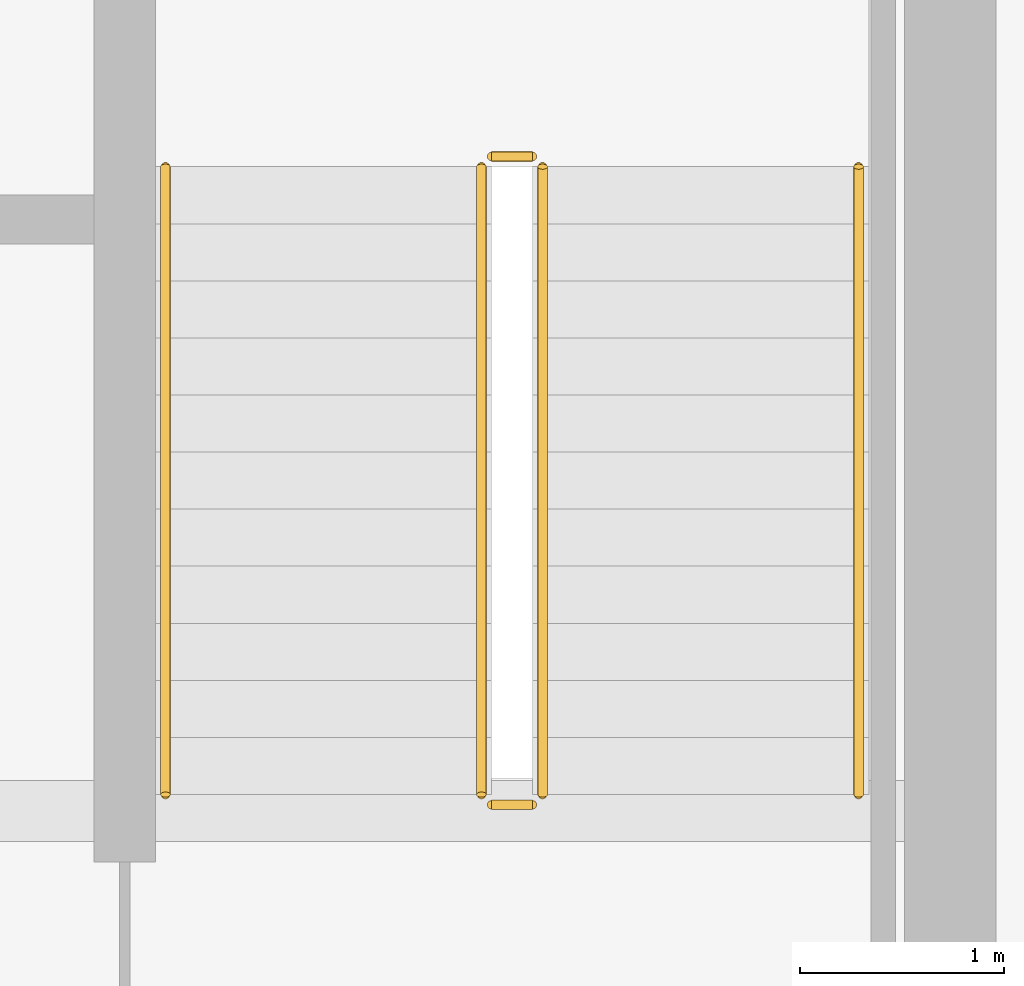
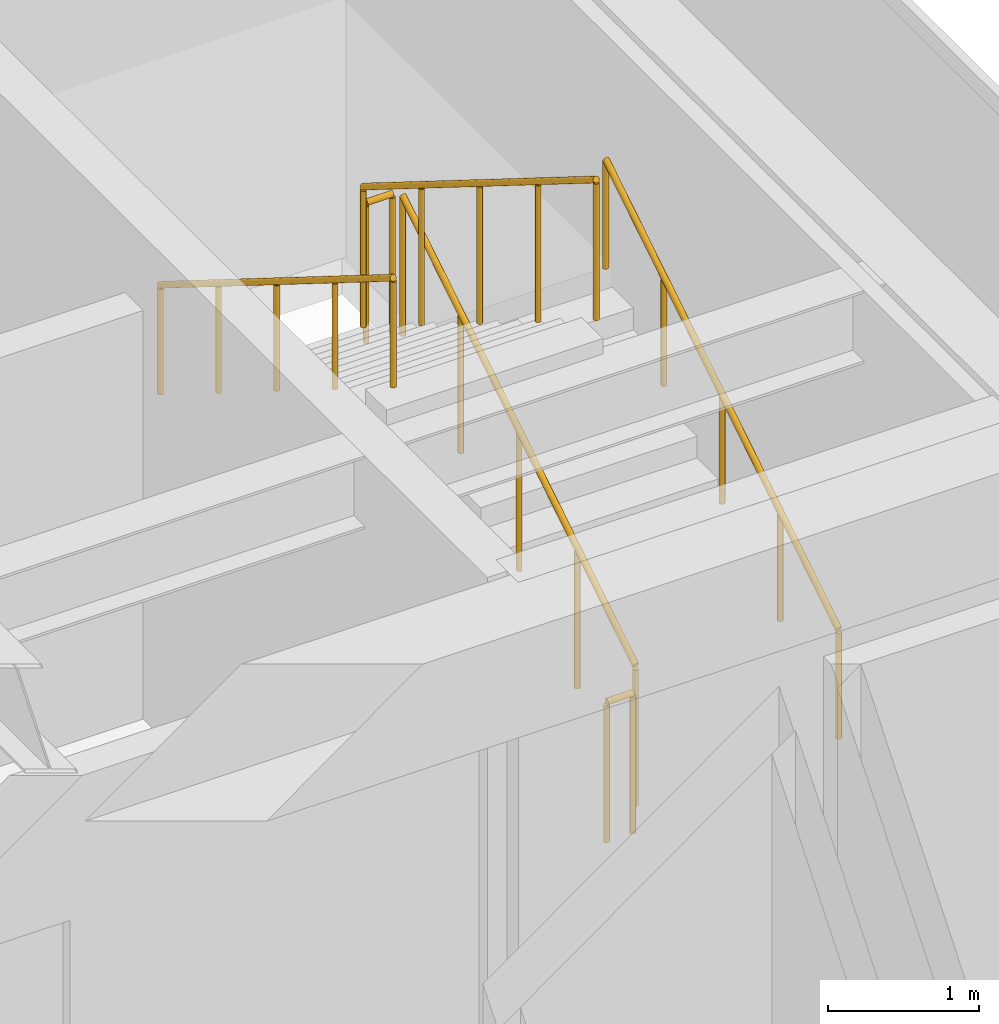
# One storey, part 31 of 31: 6 railings.
"""IFC4 building model written with IfcOpenShell, lengths in metres."""

from ifc_helpers import new_model, si_unit, direction, frame, origin, origin_2d, place, context, subcontext, project, spatial, circle, extrude, source, transform, mapped, material, type_object, type_shapes, element, save


model = new_model("IFC4")

# Units and contexts
model_context = context("Model", 3, precision=1e-05, world=origin(), true_north=direction((0.0, 1.0)))
body_context = subcontext(model_context, "Body", "Model", "MODEL_VIEW")
ifc_project = project(units=[si_unit("LENGTHUNIT", "METRE"), si_unit("AREAUNIT", "SQUARE_METRE"), si_unit("VOLUMEUNIT", "CUBIC_METRE"), si_unit("PLANEANGLEUNIT", "RADIAN"), si_unit("MASSUNIT", "GRAM", prefix="KILO")], contexts=[model_context])

# Site, building, storey
site_placement = place(None, origin())
site = spatial("IfcSite", under=ifc_project, at=site_placement, CompositionType="ELEMENT")
building_placement = place(site_placement, origin())
building = spatial("IfcBuilding", under=site, at=building_placement, Name="Haelvirn Gate Laboratories", CompositionType="ELEMENT")
storey_placement = place(building_placement, frame((0.0, 0.0, 318.60009765625)))
storey = spatial("IfcBuildingStorey", under=building, at=storey_placement, Name="L76", CompositionType="ELEMENT", Elevation=318.60009765625)

# Railings
ifc_material_1 = material(Name="Galvanised steel SM355 & stainless top rail", Category="steel")
railing_type_1 = type_object("IfcRailingType", Name="RL-GUARD-1150", PredefinedType="GUARDRAIL", material=ifc_material_1)
shared_shape_1 = source(origin(), body_context, "Body", "SweptSolid", [
    extrude(circle(Radius=0.02392578125, at=origin_2d()), frame((0.0, 0.0, 1.1259765625), z_axis=(0.0, 0.847998304005, 0.529998940003), x_axis=(-1.0, 0.0, 0.0)), (0.0, 0.0, 1.0), 3.632080078125),
    extrude(circle(Radius=0.02099609375, at=origin_2d()), origin(), (0.0, 0.0, 1.0), 1.101806640625),
    extrude(circle(Radius=0.02099609375, at=origin_2d()), frame((0.0, 0.77001953125, 0.481201171875)), (0.0, 0.0, 1.0), 1.101806640625),
    extrude(circle(Radius=0.02099609375, at=origin_2d()), frame((0.0, 1.5400390625, 0.96240234375)), (0.0, 0.0, 1.0), 1.101806640625),
    extrude(circle(Radius=0.02099609375, at=origin_2d()), frame((0.0, 2.31005859375, 1.44384765625)), (0.0, 0.0, 1.0), 1.101806640625),
    extrude(circle(Radius=0.02099609375, at=origin_2d()), frame((0.0, 3.080078125, 1.925048828125)), (0.0, 0.0, 1.0), 1.101806640625),
])
railing_1_placement = place(storey_placement, frame((65.39990234375, 26.699951171875, 0.1748046875)))
element("IfcRailing", 1, at=railing_1_placement, inside=storey, type_object=railing_type_1, Name="L76 ST2 stair guard 1", PredefinedType="GUARDRAIL", context=body_context, shape_type="MappedRepresentation", body=[
    mapped(shared_shape_1, transform((0.0, 0.0, 0.0), scale=1.0)),
])
shared_shape_2 = source(origin(), body_context, "Body", "SweptSolid", [
    extrude(circle(Radius=0.02392578125, at=origin_2d()), frame((0.0, 0.0, 1.1259765625), z_axis=(0.0, -0.847998304005, 0.529998940003), x_axis=(1.0, 0.0, 0.0)), (0.0, 0.0, 1.0), 3.632080078125),
    extrude(circle(Radius=0.02099609375, at=origin_2d()), origin(), (0.0, 0.0, 1.0), 1.101806640625),
    extrude(circle(Radius=0.02099609375, at=origin_2d()), frame((0.0, -0.77001953125, 0.481201171875)), (0.0, 0.0, 1.0), 1.101806640625),
    extrude(circle(Radius=0.02099609375, at=origin_2d()), frame((0.0, -1.5400390625, 0.96240234375)), (0.0, 0.0, 1.0), 1.101806640625),
    extrude(circle(Radius=0.02099609375, at=origin_2d()), frame((0.0, -2.31005859375, 1.44384765625)), (0.0, 0.0, 1.0), 1.101806640625),
    extrude(circle(Radius=0.02099609375, at=origin_2d()), frame((0.0, -3.080078125, 1.925048828125)), (0.0, 0.0, 1.0), 1.101806640625),
])
railing_2_placement = place(storey_placement, frame((65.10009765625, 29.780029296875, 2.27490234375)))
element("IfcRailing", 2, at=railing_2_placement, inside=storey, type_object=railing_type_1, Name="L76 ST2 stair guard 3", PredefinedType="GUARDRAIL", context=body_context, shape_type="MappedRepresentation", body=[
    mapped(shared_shape_2, transform((0.0, 0.0, 0.0), scale=1.0)),
])
ifc_material_2 = material(Name="Brushed stainless steel 316L", Category="steel")
railing_type_2 = type_object("IfcRailingType", Name="RL-HAND-920", PredefinedType="HANDRAIL", material=ifc_material_2)
shared_shape_3 = source(origin(), body_context, "Body", "SweptSolid", [
    extrude(circle(Radius=0.02392578125, at=origin_2d()), frame((0.0, 0.0, 0.8759765625), z_axis=(0.0, 0.847998304005, 0.529998940003), x_axis=(-1.0, 0.0, 0.0)), (0.0, 0.0, 1.0), 3.632080078125),
    extrude(circle(Radius=0.02099609375, at=origin_2d()), origin(), (0.0, 0.0, 1.0), 0.851806640625),
    extrude(circle(Radius=0.02099609375, at=origin_2d()), frame((0.0, 0.77001953125, 0.481201171875)), (0.0, 0.0, 1.0), 0.851806640625),
    extrude(circle(Radius=0.02099609375, at=origin_2d()), frame((0.0, 1.5400390625, 0.96240234375)), (0.0, 0.0, 1.0), 0.851806640625),
    extrude(circle(Radius=0.02099609375, at=origin_2d()), frame((0.0, 2.31005859375, 1.44384765625)), (0.0, 0.0, 1.0), 0.851806640625),
    extrude(circle(Radius=0.02099609375, at=origin_2d()), frame((0.0, 3.080078125, 1.925048828125)), (0.0, 0.0, 1.0), 0.851806640625),
])
railing_3_placement = place(storey_placement, frame((66.949951171875, 26.699951171875, 0.1748046875)))
element("IfcRailing", 3, at=railing_3_placement, inside=storey, type_object=railing_type_2, Name="L76 ST2 stair handrail 1", PredefinedType="HANDRAIL", context=body_context, shape_type="MappedRepresentation", body=[
    mapped(shared_shape_3, transform((0.0, 0.0, 0.0), scale=1.0)),
])
shared_shape_4 = source(origin(), body_context, "Body", "SweptSolid", [
    extrude(circle(Radius=0.02392578125, at=origin_2d()), frame((0.0, 0.0, 0.8759765625), z_axis=(0.0, -0.847998304005, 0.529998940003), x_axis=(1.0, 0.0, 0.0)), (0.0, 0.0, 1.0), 3.632080078125),
    extrude(circle(Radius=0.02099609375, at=origin_2d()), origin(), (0.0, 0.0, 1.0), 0.851806640625),
    extrude(circle(Radius=0.02099609375, at=origin_2d()), frame((0.0, -0.77001953125, 0.481201171875)), (0.0, 0.0, 1.0), 0.851806640625),
    extrude(circle(Radius=0.02099609375, at=origin_2d()), frame((0.0, -1.5400390625, 0.96240234375)), (0.0, 0.0, 1.0), 0.851806640625),
    extrude(circle(Radius=0.02099609375, at=origin_2d()), frame((0.0, -2.31005859375, 1.44384765625)), (0.0, 0.0, 1.0), 0.851806640625),
    extrude(circle(Radius=0.02099609375, at=origin_2d()), frame((0.0, -3.080078125, 1.925048828125)), (0.0, 0.0, 1.0), 0.851806640625),
])
type_shapes(railing_type_2, [shared_shape_3, shared_shape_4])
railing_4_placement = place(storey_placement, frame((63.550048828125, 29.780029296875, 2.27490234375)))
element("IfcRailing", 4, at=railing_4_placement, inside=storey, type_object=railing_type_2, Name="L76 ST2 stair handrail 2", PredefinedType="HANDRAIL", context=body_context, shape_type="MappedRepresentation", body=[
    mapped(shared_shape_4, transform((0.0, 0.0, 0.0), scale=1.0)),
])
shared_shape_5 = source(origin(), body_context, "Body", "SweptSolid", [
    extrude(circle(Radius=0.02392578125, at=origin_2d()), frame((0.0, 0.0, 1.1259765625), z_axis=(-1.0, 0.0, 0.0), x_axis=(0.0, -1.0, 0.0)), (0.0, 0.0, 1.0), 0.2001953125),
    extrude(circle(Radius=0.02099609375, at=origin_2d()), origin(), (0.0, 0.0, 1.0), 1.101806640625),
    extrude(circle(Radius=0.02099609375, at=origin_2d()), frame((-0.2001953125, 0.0, 0.0)), (0.0, 0.0, 1.0), 1.101806640625),
])
type_shapes(railing_type_1, [shared_shape_1, shared_shape_2, shared_shape_5])
for number, where, name in (
    (5, (65.35009765625, 29.830078125, 2.099853515625), "L76 ST2 stair guard 2"),
    (6, (65.35009765625, 26.64990234375, 0.0), "L76 ST2 stair guard 4"),
):
    element("IfcRailing", number, at=place(storey_placement, frame(where)), inside=storey, type_object=railing_type_1, Name=name, PredefinedType="GUARDRAIL", context=body_context, shape_type="MappedRepresentation", body=[
        mapped(shared_shape_5, transform((0.0, 0.0, 0.0), scale=1.0)),
    ])

save(model, "model.ifc")
